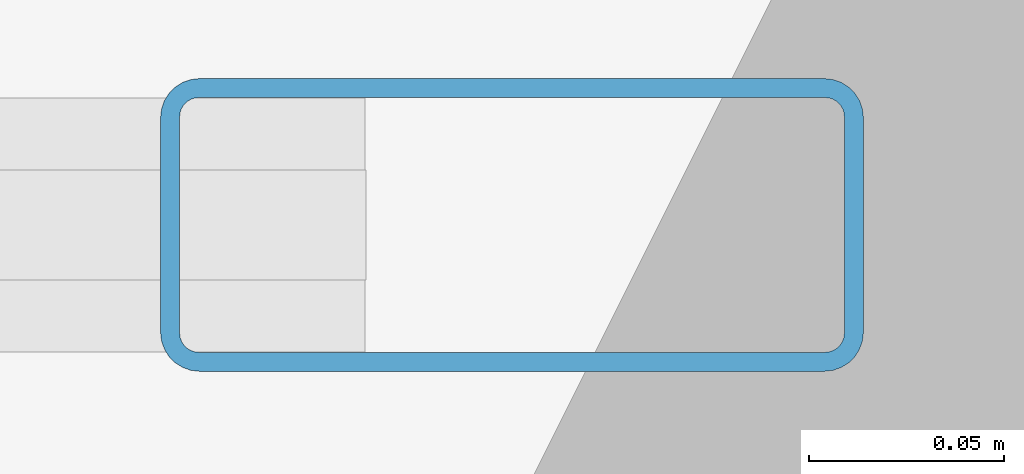
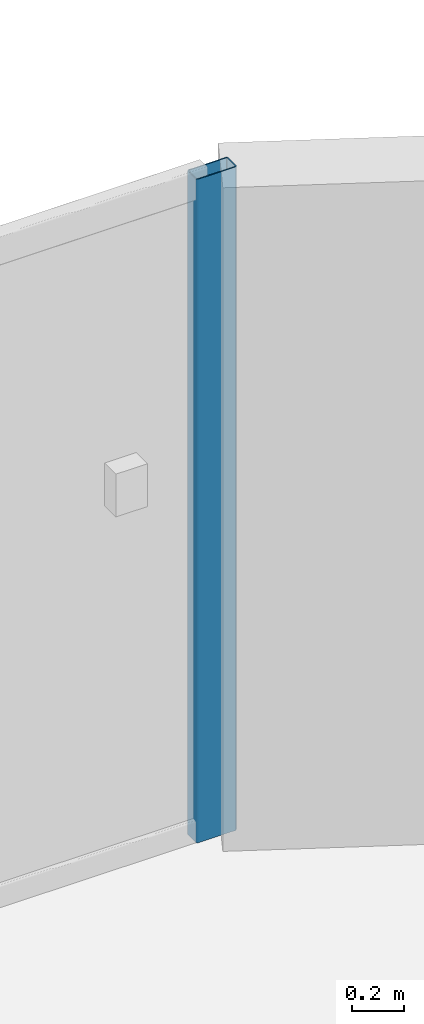
# One storey, part 8 of 20: 1 member, 1 element without a shape of its own.
"""IFC4 building model written with IfcOpenShell, lengths in metres."""

from ifc_helpers import new_model, si_unit, direction, frame, origin, origin_2d, place, context, subcontext, project, spatial, hollow_rectangle, extrude, material, layer, layer_set, material_profile, profile_set, type_object, element, aggregate, save


model = new_model("IFC4")

# Units and contexts
model_context = context("Model", 3, precision=1e-05, world=origin(), true_north=direction((0.0, 1.0)))
body_context = subcontext(model_context, "Body", "Model", "MODEL_VIEW")
ifc_project = project(units=[si_unit("LENGTHUNIT", "METRE"), si_unit("AREAUNIT", "SQUARE_METRE"), si_unit("VOLUMEUNIT", "CUBIC_METRE"), si_unit("PLANEANGLEUNIT", "RADIAN"), si_unit("MASSUNIT", "GRAM", prefix="KILO")], contexts=[model_context])

# Site, building, storey
site_placement = place(None, origin())
site = spatial("IfcSite", under=ifc_project, at=site_placement, CompositionType="ELEMENT")
building_placement = place(site_placement, origin())
building = spatial("IfcBuilding", under=site, at=building_placement, Name="Tarnavaz Court Tower", CompositionType="ELEMENT")
storey_placement = place(building_placement, frame((0.0, 0.0, 30.699951171875)))
storey = spatial("IfcBuildingStorey", under=building, at=storey_placement, Name="L07", CompositionType="ELEMENT", Elevation=30.699951171875)

# Curtain wall, member
ifc_material_1 = material(Name="Anodised Aluminium 6063-T6 and Solar Low-E Glazing", Category="aluminium")
ifc_layer = layer(ifc_material_1, 0.179931640625)
ifc_layer_set = layer_set([ifc_layer], Name="Anodised Aluminium 6063-T6 and Solar Low-E Glazing")
curtain_wall_type = type_object("IfcCurtainWallType", Name="CW-SYS-02", PredefinedType="NOTDEFINED", material=ifc_layer_set)
curtain_wall_placement = place(storey_placement, origin())
curtain_wall = element("IfcCurtainWall", 1, at=curtain_wall_placement, inside=storey, type_object=curtain_wall_type, Name="L07 Iwan Prow Curtain Wall 7", PredefinedType="NOTDEFINED")
ifc_material_2 = material(Name="Anodised Aluminium 6063-T6", Category="aluminium")
ifc_material_profile = material_profile(ifc_material_2, hollow_rectangle(XDim=0.074951171875, YDim=0.179931640625, WallThickness=0.0048828125, InnerFilletRadius=0.0048828125, OuterFilletRadius=0.010009765625, at=origin_2d()), Name="ALU RHS 180X75X5")
ifc_profile_set = profile_set([ifc_material_profile], Name="Anodised Aluminium 6063-T6")
member_type = type_object("IfcMemberType", Name="CW-MUL-180", PredefinedType="MULLION", material=ifc_profile_set)
member_placement = place(storey_placement, frame((4.3125, 25.050048828125, 0.0), z_axis=(0.0, 0.0, 1.0), x_axis=(0.0, 1.0, 0.0)))
member = element("IfcMember", 2, at=member_placement, type_object=member_type, Name="CW mullion 4", PredefinedType="MULLION", context=body_context, shape_type="SweptSolid", body=[
    extrude(hollow_rectangle(XDim=0.074951171875, YDim=0.179931640625, WallThickness=0.0048828125, InnerFilletRadius=0.0048828125, OuterFilletRadius=0.010009765625, at=origin_2d()), origin(), (0.0, 0.0, 1.0), 3.10009765625),
])
aggregate(curtain_wall, [member])

save(model, "model.ifc")
